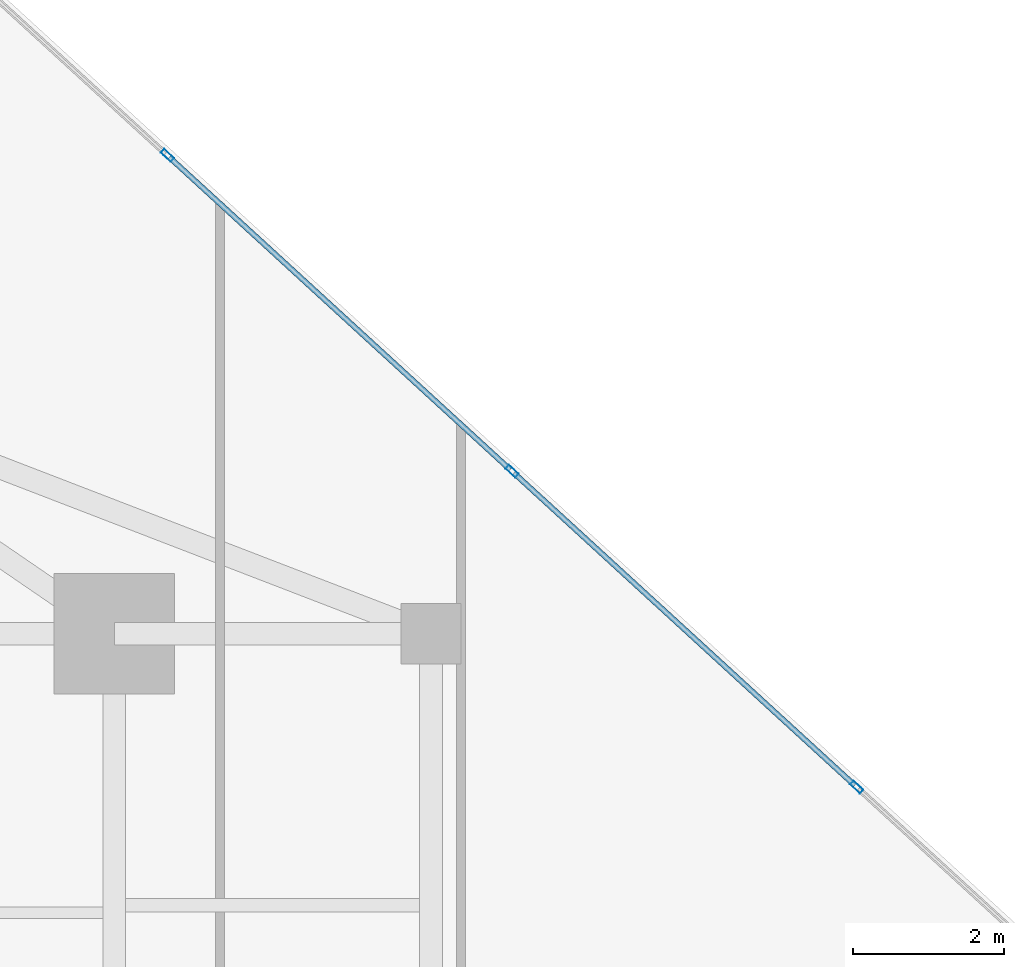
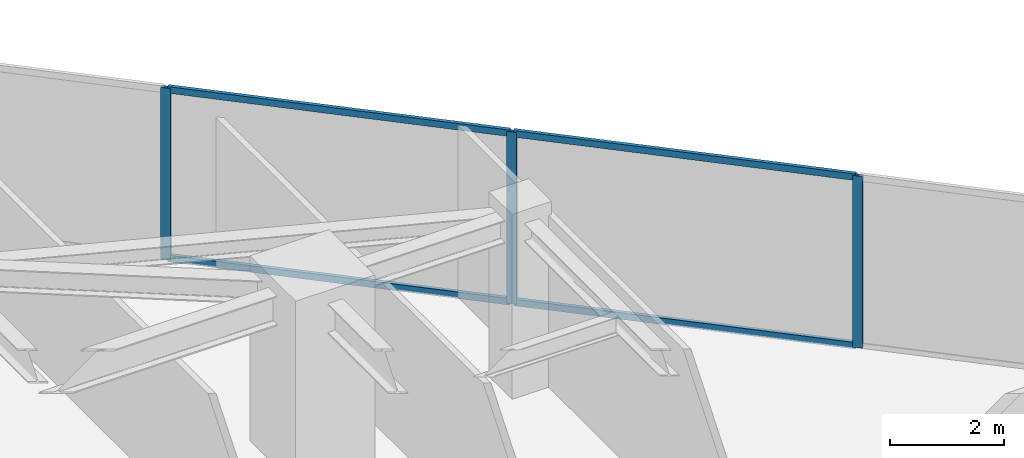
# One storey, part 19 of 26: 7 members, 1 element without a shape of its own.
"""IFC4 building model written with IfcOpenShell, lengths in metres."""

from ifc_helpers import new_model, si_unit, direction, frame, origin, origin_2d, place, context, subcontext, project, spatial, hollow_rectangle, extrude, source, transform, mapped, material, material_profile, profile_set, type_object, type_shapes, element, aggregate, save


model = new_model("IFC4")

# Units and contexts
model_context = context("Model", 3, precision=1e-05, world=origin(), true_north=direction((0.0, 1.0)))
body_context = subcontext(model_context, "Body", "Model", "MODEL_VIEW")
ifc_project = project(units=[si_unit("LENGTHUNIT", "METRE"), si_unit("AREAUNIT", "SQUARE_METRE"), si_unit("VOLUMEUNIT", "CUBIC_METRE"), si_unit("PLANEANGLEUNIT", "RADIAN"), si_unit("MASSUNIT", "GRAM", prefix="KILO")], contexts=[model_context])

# Site, building, storey
site_placement = place(None, origin())
site = spatial("IfcSite", under=ifc_project, at=site_placement, CompositionType="ELEMENT")
building_placement = place(site_placement, origin())
building = spatial("IfcBuilding", under=site, at=building_placement, Name="Krantzveldt Concourse Tower", CompositionType="ELEMENT")
storey_placement = place(building_placement, frame((0.0, 0.0, 219.14990234375)))
storey = spatial("IfcBuildingStorey", under=building, at=storey_placement, Name="L53", CompositionType="ELEMENT", Elevation=219.14990234375)

# Curtain wall, members
ifc_material = material(Name="Anodised aluminium 6063-T6", Category="aluminium")
curtain_wall_type = type_object("IfcCurtainWallType", Name="CW3", PredefinedType="USERDEFINED", material=ifc_material)
curtain_wall_placement = place(storey_placement, origin())
curtain_wall = element("IfcCurtainWall", 1, at=curtain_wall_placement, inside=storey, type_object=curtain_wall_type, Name="CW-L53-F14", ObjectType="UNITISED CURTAIN WALL", PredefinedType="USERDEFINED")
ifc_material_profile_1 = material_profile(ifc_material, hollow_rectangle(XDim=0.070068359375, YDim=0.179931640625, WallThickness=0.0048828125, at=origin_2d()), Name="Anodised aluminium 6063-T6", Category="aluminium")
ifc_profile_set_1 = profile_set([ifc_material_profile_1], Name="Anodised aluminium 6063-T6 - ALU-MULL 180x70x5")
member_type_1 = type_object("IfcMemberType", Name="CW-MUL-180", PredefinedType="MULLION", material=ifc_profile_set_1)
shared_shape_1 = source(origin(), body_context, "Body", "SweptSolid", [
    extrude(hollow_rectangle(XDim=0.070068359375, YDim=0.179931640625, WallThickness=0.0048828125, at=origin_2d()), origin(), (0.0, 0.0, 1.0), 3.670166015625),
])
type_shapes(member_type_1, [shared_shape_1])
member_1_placement = place(storey_placement, frame((56.6455078125, 35.46484375, 0.0), z_axis=(0.0, 0.0, 1.0), x_axis=(-0.675590053651, -0.737277477893, 0.0)))
member_1 = element("IfcMember", 2, at=member_1_placement, type_object=member_type_1, Name="CW-Z34 mullion 2", PredefinedType="MULLION", context=body_context, shape_type="MappedRepresentation", body=[
    mapped(shared_shape_1, transform((0.0, 0.0, 0.0), x_axis=(1.0, 0.0, 0.0), y_axis=(0.0, 1.0, 0.0), z_axis=(0.0, 0.0, 1.0), scale=1.0)),
])
member_2_placement = place(storey_placement, frame((52.074462890625, 39.653564453125, 0.0), z_axis=(0.0, 0.0, 1.0), x_axis=(-0.675590053651, -0.737277477893, 0.0)))
member_2 = element("IfcMember", 3, at=member_2_placement, type_object=member_type_1, Name="CW-Z34 mullion 3", PredefinedType="MULLION", context=body_context, shape_type="MappedRepresentation", body=[
    mapped(shared_shape_1, transform((0.0, 0.0, 0.0), x_axis=(1.0, 0.0, 0.0), y_axis=(0.0, 1.0, 0.0), z_axis=(0.0, 0.0, 1.0), scale=1.0)),
])
member_3_placement = place(storey_placement, frame((47.503173828125, 43.84228515625, 0.0), z_axis=(0.0, 0.0, 1.0), x_axis=(-0.675590053651, -0.737277477893, 0.0)))
member_3 = element("IfcMember", 4, at=member_3_placement, type_object=member_type_1, Name="CW-Z34 mullion 4", PredefinedType="MULLION", context=body_context, shape_type="MappedRepresentation", body=[
    mapped(shared_shape_1, transform((0.0, 0.0, 0.0), x_axis=(1.0, 0.0, 0.0), y_axis=(0.0, 1.0, 0.0), z_axis=(0.0, 0.0, 1.0), scale=1.0)),
])
ifc_material_profile_2 = material_profile(ifc_material, hollow_rectangle(XDim=0.070068359375, YDim=0.139892578125, WallThickness=0.0048828125, at=origin_2d()), Name="Anodised aluminium 6063-T6", Category="aluminium")
ifc_profile_set_2 = profile_set([ifc_material_profile_2], Name="Anodised aluminium 6063-T6 - ALU-TRAN 140x70x5")
member_type_2 = type_object("IfcMemberType", Name="CW-TRN-150", PredefinedType="USERDEFINED", material=ifc_profile_set_2)
shared_shape_2 = source(origin(), body_context, "Body", "SweptSolid", [
    extrude(hollow_rectangle(XDim=0.070068359375, YDim=0.139892578125, WallThickness=0.0048828125, at=origin_2d()), origin(), (0.0, 0.0, 1.0), 6.130126953125),
])
type_shapes(member_type_2, [shared_shape_2])
member_4_placement = place(storey_placement, frame((56.61962890625, 35.488525390625, 0.03515625), z_axis=(-0.737279770771, 0.675587551404, 0.0), x_axis=(-0.675587551404, -0.737279770771, 0.0)))
member_4 = element("IfcMember", 5, at=member_4_placement, type_object=member_type_2, Name="CW-Z34 transom 2.1", ObjectType="TRANSOM", PredefinedType="USERDEFINED", context=body_context, shape_type="MappedRepresentation", body=[
    mapped(shared_shape_2, transform((0.0, 0.0, 0.0), x_axis=(1.0, 0.0, 0.0), y_axis=(0.0, 1.0, 0.0), z_axis=(0.0, 0.0, 1.0), scale=1.0)),
])
member_5_placement = place(storey_placement, frame((56.61962890625, 35.488525390625, 3.635009765625), z_axis=(-0.737279770771, 0.675587551404, 0.0), x_axis=(-0.675587551404, -0.737279770771, 0.0)))
member_5 = element("IfcMember", 6, at=member_5_placement, type_object=member_type_2, Name="CW-Z34 transom 2.2", ObjectType="TRANSOM", PredefinedType="USERDEFINED", context=body_context, shape_type="MappedRepresentation", body=[
    mapped(shared_shape_2, transform((0.0, 0.0, 0.0), x_axis=(1.0, 0.0, 0.0), y_axis=(0.0, 1.0, 0.0), z_axis=(0.0, 0.0, 1.0), scale=1.0)),
])
member_6_placement = place(storey_placement, frame((52.048583984375, 39.67724609375, 0.03515625), z_axis=(-0.737279770771, 0.675587551404, 0.0), x_axis=(-0.675587551404, -0.737279770771, 0.0)))
member_6 = element("IfcMember", 7, at=member_6_placement, type_object=member_type_2, Name="CW-Z34 transom 3.1", ObjectType="TRANSOM", PredefinedType="USERDEFINED", context=body_context, shape_type="MappedRepresentation", body=[
    mapped(shared_shape_2, transform((0.0, 0.0, 0.0), x_axis=(1.0, 0.0, 0.0), y_axis=(0.0, 1.0, 0.0), z_axis=(0.0, 0.0, 1.0), scale=1.0)),
])
member_7_placement = place(storey_placement, frame((52.048583984375, 39.67724609375, 3.635009765625), z_axis=(-0.737279770771, 0.675587551404, 0.0), x_axis=(-0.675587551404, -0.737279770771, 0.0)))
member_7 = element("IfcMember", 8, at=member_7_placement, type_object=member_type_2, Name="CW-Z34 transom 3.2", ObjectType="TRANSOM", PredefinedType="USERDEFINED", context=body_context, shape_type="MappedRepresentation", body=[
    mapped(shared_shape_2, transform((0.0, 0.0, 0.0), x_axis=(1.0, 0.0, 0.0), y_axis=(0.0, 1.0, 0.0), z_axis=(0.0, 0.0, 1.0), scale=1.0)),
])
aggregate(curtain_wall, [member_1, member_2, member_3, member_4, member_5, member_6, member_7])

save(model, "model.ifc")
